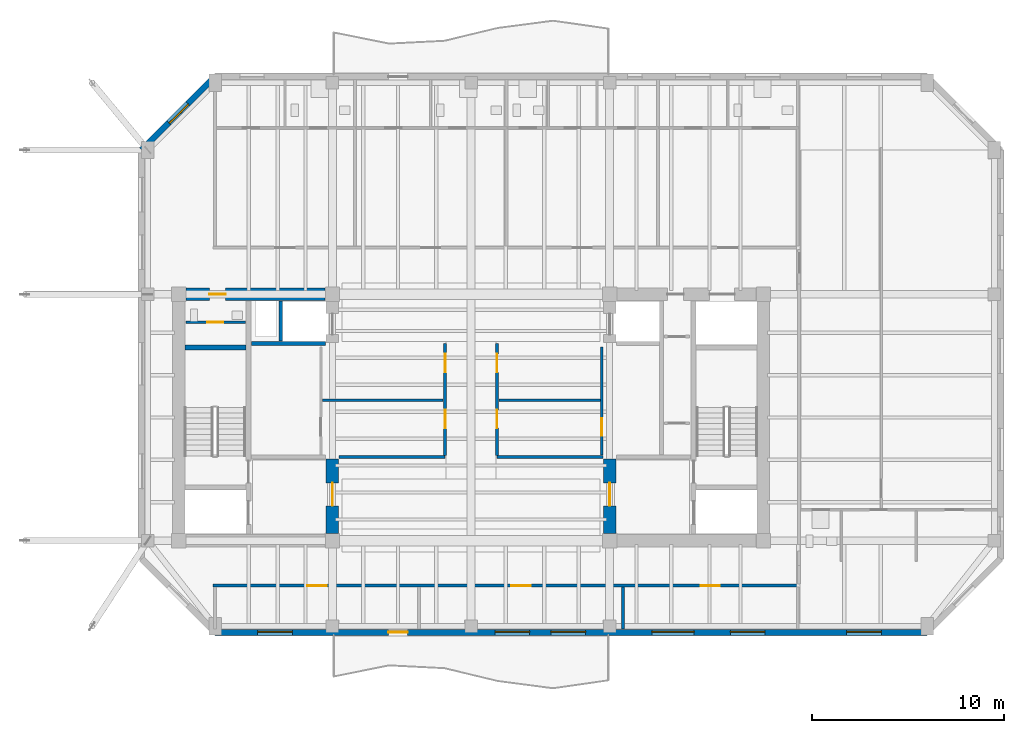
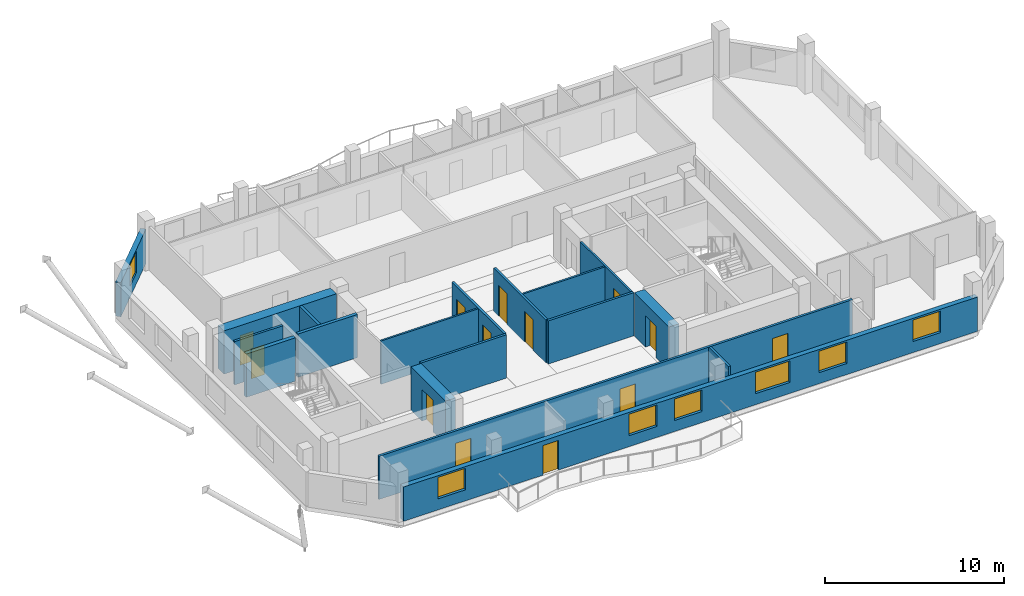
# One storey, part 4 of 10: 18 walls, 13 doors, 7 windows, 20 openings.
"""IFC4 building model written with IfcOpenShell, lengths in metres."""

from ifc_helpers import new_model, si_unit, direction, frame, frame_2d, origin, place, context, subcontext, project, spatial, rectangle, extrude, material, layer, layer_set, type_object, element, fill, save


model = new_model("IFC4")

# Units and contexts
model_context = context("Model", 3, precision=1e-05, world=origin(), true_north=direction((0.0, 1.0)))
body_context = subcontext(model_context, "Body", "Model", "MODEL_VIEW")
ifc_project = project(units=[si_unit("LENGTHUNIT", "METRE"), si_unit("AREAUNIT", "SQUARE_METRE"), si_unit("VOLUMEUNIT", "CUBIC_METRE"), si_unit("PLANEANGLEUNIT", "RADIAN"), si_unit("MASSUNIT", "GRAM", prefix="KILO")], contexts=[model_context])

# Site, building, storey
site_placement = place(None, origin())
site = spatial("IfcSite", under=ifc_project, at=site_placement, CompositionType="ELEMENT")
building_placement = place(site_placement, origin())
building = spatial("IfcBuilding", under=site, at=building_placement, Name="Kranthara Brick Stack", CompositionType="ELEMENT")
storey_placement = place(building_placement, frame((0.0, 0.0, 265.300048828125)))
storey = spatial("IfcBuildingStorey", under=building, at=storey_placement, Name="L70", CompositionType="ELEMENT", Elevation=265.300048828125)

# Wall, openings, door, windows
ifc_material_1 = material(Name="Warm buff clay brick masonry M15", Category="masonry")
ifc_layer_1 = layer(ifc_material_1, 0.320068359375)
ifc_layer_set_1 = layer_set([ifc_layer_1], Name="Warm buff clay brick masonry M15")
wall_type_1 = type_object("IfcWallType", Name="WL-BRK-UPPR-320", PredefinedType="STANDARD", material=ifc_layer_set_1)
wall_1_placement = place(storey_placement, frame((51.699951171875, 16.030029296875, 0.0), z_axis=(0.0, 0.0, 1.0), x_axis=(-1.0, 0.0, 0.0)))
wall_1 = element("IfcWall", 1, at=wall_1_placement, inside=storey, type_object=wall_type_1, Name="L70 Exterior Brick Facade Wall SOUTH 1", PredefinedType="STANDARD", context=body_context, shape_type="SweptSolid", body=[
    extrude(rectangle(XDim=37.0, YDim=0.320068359375, at=frame_2d((18.5, 0.0))), origin(), (0.0, 0.0, 1.0), 2.3349609375),
])
opening_1_placement = place(wall_1_placement, frame((27.0, 0.0, 0.0)))
opening_1 = element("IfcOpeningElement", 2, at=opening_1_placement, cuts=wall_1, Name="Opening D03", PredefinedType="OPENING", context=body_context, shape_type="SweptSolid", body=[
    extrude(rectangle(XDim=1.0, YDim=2.02001953125, at=frame_2d((0.5, 1.010009765625))), frame((0.0, 0.169921875, 0.0), z_axis=(0.0, -1.0, 0.0), x_axis=(1.0, 0.0, 0.0)), (0.0, 0.0, 1.0), 0.340087890625),
])
opening_2_placement = place(wall_1_placement, frame((2.375, 0.0, 0.75)))
opening_2 = element("IfcOpeningElement", 3, at=opening_2_placement, cuts=wall_1, Name="Opening WN07", PredefinedType="OPENING", context=body_context, shape_type="SweptSolid", body=[
    extrude(rectangle(XDim=1.800048828125, YDim=1.465087890625, at=frame_2d((0.89990234375, 0.732421875))), frame((0.0, 0.169921875, 0.0), z_axis=(0.0, -1.0, 0.0), x_axis=(1.0, 0.0, 0.0)), (0.0, 0.0, 1.0), 0.340087890625),
])
opening_3_placement = place(wall_1_placement, frame((8.422119140625, 0.0, 0.75)))
opening_3 = element("IfcOpeningElement", 4, at=opening_3_placement, cuts=wall_1, Name="Opening WN07", PredefinedType="OPENING", context=body_context, shape_type="SweptSolid", body=[
    extrude(rectangle(XDim=1.800048828125, YDim=1.465087890625, at=frame_2d((0.89990234375, 0.732421875))), frame((0.0, 0.169921875, 0.0), z_axis=(0.0, -1.0, 0.0), x_axis=(1.0, 0.0, 0.0)), (0.0, 0.0, 1.0), 0.340087890625),
])
opening_4_placement = place(wall_1_placement, frame((12.10205078125, 0.0, 0.75)))
opening_4 = element("IfcOpeningElement", 5, at=opening_4_placement, cuts=wall_1, Name="Opening WN08", PredefinedType="OPENING", context=body_context, shape_type="SweptSolid", body=[
    extrude(rectangle(XDim=2.199951171875, YDim=1.465087890625, at=frame_2d((1.10009765625, 0.732421875))), frame((0.0, 0.169921875, 0.0), z_axis=(0.0, -1.0, 0.0), x_axis=(1.0, 0.0, 0.0)), (0.0, 0.0, 1.0), 0.340087890625),
])
opening_5_placement = place(wall_1_placement, frame((17.748046875, 0.0, 0.75)))
opening_5 = element("IfcOpeningElement", 6, at=opening_5_placement, cuts=wall_1, Name="Opening WN07", PredefinedType="OPENING", context=body_context, shape_type="SweptSolid", body=[
    extrude(rectangle(XDim=1.800048828125, YDim=1.465087890625, at=frame_2d((0.89990234375, 0.732421875))), frame((0.0, 0.169921875, 0.0), z_axis=(0.0, -1.0, 0.0), x_axis=(1.0, 0.0, 0.0)), (0.0, 0.0, 1.0), 0.340087890625),
])
opening_6_placement = place(wall_1_placement, frame((20.652099609375, 0.0, 0.75)))
opening_6 = element("IfcOpeningElement", 7, at=opening_6_placement, cuts=wall_1, Name="Opening WN07", PredefinedType="OPENING", context=body_context, shape_type="SweptSolid", body=[
    extrude(rectangle(XDim=1.800048828125, YDim=1.465087890625, at=frame_2d((0.89990234375, 0.732421875))), frame((0.0, 0.169921875, 0.0), z_axis=(0.0, -1.0, 0.0), x_axis=(1.0, 0.0, 0.0)), (0.0, 0.0, 1.0), 0.340087890625),
])
opening_7_placement = place(wall_1_placement, frame((32.988037109375, 0.0, 0.75)))
opening_7 = element("IfcOpeningElement", 8, at=opening_7_placement, cuts=wall_1, Name="Opening WN07", PredefinedType="OPENING", context=body_context, shape_type="SweptSolid", body=[
    extrude(rectangle(XDim=1.800048828125, YDim=1.465087890625, at=frame_2d((0.89990234375, 0.732421875))), frame((0.0, 0.169921875, 0.0), z_axis=(0.0, -1.0, 0.0), x_axis=(1.0, 0.0, 0.0)), (0.0, 0.0, 1.0), 0.340087890625),
])
ifc_material_2 = material(Name="Bronze anodised aluminium and laminated glass", Category="aluminium")
door_type_1 = type_object("IfcDoorType", Name="DR-BALC-1000", OperationType="NOTDEFINED", PredefinedType="DOOR", material=ifc_material_2)
door_1_placement = place(opening_1_placement, origin())
door_1 = element("IfcDoor", 9, at=door_1_placement, inside=storey, type_object=door_type_1, Name="L70 South Balcony Terrace Door", OperationType="SINGLE_SWING_LEFT", OverallHeight=2.02001953125, OverallWidth=1.0, PredefinedType="DOOR", context=body_context, shape_type="SweptSolid", body=[
    extrude(rectangle(XDim=1.0, YDim=2.02001953125, at=frame_2d((0.5, 1.010009765625))), frame((0.0, 0.02490234375, 0.0), z_axis=(0.0, -1.0, 0.0), x_axis=(1.0, 0.0, 0.0)), (0.0, 0.0, 1.0), 0.050048828125),
])
fill(opening_1, door_1)
ifc_material_3 = material(Name="Double-glazed low-E solar control glass", Category="glass")
window_type_1 = type_object("IfcWindowType", Name="WN-RES-1800x1850", PartitioningType="DOUBLE_PANEL_VERTICAL", PredefinedType="WINDOW", material=ifc_material_3)
window_1_placement = place(opening_2_placement, origin())
window_1 = element("IfcWindow", 10, at=window_1_placement, inside=storey, type_object=window_type_1, Name="L70 South Deep-Set Brick Window 01", OverallHeight=1.465087890625, OverallWidth=1.800048828125, PartitioningType="SINGLE_PANEL", PredefinedType="WINDOW", context=body_context, shape_type="SweptSolid", body=[
    extrude(rectangle(XDim=1.800048828125, YDim=1.465087890625, at=frame_2d((0.89990234375, 0.732421875))), frame((0.0, -0.010009765625, 0.0), z_axis=(0.0, -1.0, 0.0), x_axis=(1.0, 0.0, 0.0)), (0.0, 0.0, 1.0), 0.06005859375),
])
fill(opening_2, window_1)
window_2_placement = place(opening_3_placement, origin())
window_2 = element("IfcWindow", 11, at=window_2_placement, inside=storey, type_object=window_type_1, Name="L70 South Deep-Set Brick Window 02", OverallHeight=1.465087890625, OverallWidth=1.800048828125, PartitioningType="SINGLE_PANEL", PredefinedType="WINDOW", context=body_context, shape_type="SweptSolid", body=[
    extrude(rectangle(XDim=1.800048828125, YDim=1.465087890625, at=frame_2d((0.89990234375, 0.732421875))), frame((0.0, -0.010009765625, 0.0), z_axis=(0.0, -1.0, 0.0), x_axis=(1.0, 0.0, 0.0)), (0.0, 0.0, 1.0), 0.06005859375),
])
fill(opening_3, window_2)
window_3_placement = place(opening_5_placement, origin())
window_3 = element("IfcWindow", 12, at=window_3_placement, inside=storey, type_object=window_type_1, Name="L70 South Deep-Set Brick Window 04", OverallHeight=1.465087890625, OverallWidth=1.800048828125, PartitioningType="SINGLE_PANEL", PredefinedType="WINDOW", context=body_context, shape_type="SweptSolid", body=[
    extrude(rectangle(XDim=1.800048828125, YDim=1.465087890625, at=frame_2d((0.89990234375, 0.732421875))), frame((0.0, -0.010009765625, 0.0), z_axis=(0.0, -1.0, 0.0), x_axis=(1.0, 0.0, 0.0)), (0.0, 0.0, 1.0), 0.06005859375),
])
fill(opening_5, window_3)
window_4_placement = place(opening_6_placement, origin())
window_4 = element("IfcWindow", 13, at=window_4_placement, inside=storey, type_object=window_type_1, Name="L70 South Deep-Set Brick Window 05", OverallHeight=1.465087890625, OverallWidth=1.800048828125, PartitioningType="SINGLE_PANEL", PredefinedType="WINDOW", context=body_context, shape_type="SweptSolid", body=[
    extrude(rectangle(XDim=1.800048828125, YDim=1.465087890625, at=frame_2d((0.89990234375, 0.732421875))), frame((0.0, -0.010009765625, 0.0), z_axis=(0.0, -1.0, 0.0), x_axis=(1.0, 0.0, 0.0)), (0.0, 0.0, 1.0), 0.06005859375),
])
fill(opening_6, window_4)
window_5_placement = place(opening_7_placement, origin())
window_5 = element("IfcWindow", 14, at=window_5_placement, inside=storey, type_object=window_type_1, Name="L70 South Deep-Set Brick Window 06", OverallHeight=1.465087890625, OverallWidth=1.800048828125, PartitioningType="SINGLE_PANEL", PredefinedType="WINDOW", context=body_context, shape_type="SweptSolid", body=[
    extrude(rectangle(XDim=1.800048828125, YDim=1.465087890625, at=frame_2d((0.89990234375, 0.732421875))), frame((0.0, -0.010009765625, 0.0), z_axis=(0.0, -1.0, 0.0), x_axis=(1.0, 0.0, 0.0)), (0.0, 0.0, 1.0), 0.06005859375),
])
fill(opening_7, window_5)
ifc_material_4 = material(Name="Double-glazed low-E solar control glass", Category="glass")
window_type_2 = type_object("IfcWindowType", Name="WN-RES-2200x1850", PartitioningType="TRIPLE_PANEL_VERTICAL", PredefinedType="WINDOW", material=ifc_material_4)
window_6_placement = place(opening_4_placement, origin())
window_6 = element("IfcWindow", 15, at=window_6_placement, inside=storey, type_object=window_type_2, Name="L70 South Deep-Set Brick Window 03", OverallHeight=1.465087890625, OverallWidth=2.199951171875, PartitioningType="SINGLE_PANEL", PredefinedType="WINDOW", context=body_context, shape_type="SweptSolid", body=[
    extrude(rectangle(XDim=2.199951171875, YDim=1.465087890625, at=frame_2d((1.10009765625, 0.732421875))), frame((0.0, -0.010009765625, 0.0), z_axis=(0.0, -1.0, 0.0), x_axis=(1.0, 0.0, 0.0)), (0.0, 0.0, 1.0), 0.06005859375),
])
fill(opening_4, window_6)

# Wall, opening, window
wall_2_placement = place(storey_placement, frame((10.8798828125, 41.10009765625, 0.0), z_axis=(0.0, 0.0, 1.0), x_axis=(0.70712937715, 0.707084184501, 0.0)))
wall_2 = element("IfcWall", 16, at=wall_2_placement, inside=storey, type_object=wall_type_1, Name="L70 Exterior Brick Facade Wall NW 1", PredefinedType="STANDARD", context=body_context, shape_type="SweptSolid", body=[
    extrude(rectangle(XDim=5.402099609375, YDim=0.320068359375, at=frame_2d((2.701171875, 0.0))), origin(), (0.0, 0.0, 1.0), 2.3349609375),
])
opening_8_placement = place(wall_2_placement, frame((2.0009765625, 0.0, 0.75)))
opening_8 = element("IfcOpeningElement", 17, at=opening_8_placement, cuts=wall_2, Name="Opening WN10", PredefinedType="OPENING", context=body_context, shape_type="SweptSolid", body=[
    extrude(rectangle(XDim=1.39990234375, YDim=1.465087890625, at=frame_2d((0.699951171875, 0.732421875))), frame((0.0, 0.169921875, 0.0), z_axis=(0.0, -1.0, 0.0), x_axis=(1.0, 0.0, 0.0)), (0.0, 0.0, 1.0), 0.340087890625),
])
ifc_material_5 = material(Name="Double-glazed low-E solar control glass", Category="glass")
window_type_3 = type_object("IfcWindowType", Name="WN-CHM-1400x1750", PartitioningType="SINGLE_PANEL", PredefinedType="WINDOW", material=ifc_material_5)
window_7_placement = place(opening_8_placement, origin())
window_7 = element("IfcWindow", 18, at=window_7_placement, inside=storey, type_object=window_type_3, Name="L70 NW Chamfer Corner Window", OverallHeight=1.465087890625, OverallWidth=1.39990234375, PartitioningType="SINGLE_PANEL", PredefinedType="WINDOW", context=body_context, shape_type="SweptSolid", body=[
    extrude(rectangle(XDim=1.39990234375, YDim=1.465087890625, at=frame_2d((0.699951171875, 0.732421875))), frame((0.0, -0.010009765625, 0.0), z_axis=(0.0, -1.0, 0.0), x_axis=(1.0, 0.0, 0.0)), (0.0, 0.0, 1.0), 0.06005859375),
])
fill(opening_8, window_7)

# Wall
ifc_material_6 = material(Name="Concrete C50/60", Category="concrete")
ifc_layer_2 = layer(ifc_material_6, 0.25)
ifc_layer_set_2 = layer_set([ifc_layer_2], Name="Concrete C50/60")
wall_type_2 = type_object("IfcWallType", Name="WL-CORE-250", PredefinedType="SHEAR", material=ifc_layer_set_2)
wall_3_placement = place(storey_placement, frame((13.135009765625, 30.830078125, 0.0), z_axis=(0.0, 0.0, 1.0), x_axis=(1.0, 0.0, 0.0)))
element("IfcWall", 19, at=wall_3_placement, inside=storey, type_object=wall_type_2, Name="L70 West Stairwell Bearing Wall WST", PredefinedType="SHEAR", context=body_context, shape_type="SweptSolid", body=[
    extrude(rectangle(XDim=3.175048828125, YDim=0.25, at=frame_2d((1.58740234375, 0.0))), origin(), (0.0, 0.0, 1.0), 2.949951171875),
])

# Wall, opening, door
ifc_material_7 = material(Name="Concrete C60/75", Category="concrete")
ifc_layer_3 = layer(ifc_material_7, 0.64990234375)
ifc_layer_set_3 = layer_set([ifc_layer_3], Name="Concrete C60/75")
wall_type_3 = type_object("IfcWallType", Name="WL-CORE-650", PredefinedType="SHEAR", material=ifc_layer_set_3)
wall_4_placement = place(storey_placement, frame((13.179931640625, 33.60009765625, 0.0), z_axis=(0.0, 0.0, 1.0), x_axis=(1.0, 0.0, 0.0)))
wall_4 = element("IfcWall", 20, at=wall_4_placement, inside=storey, type_object=wall_type_3, Name="L70 West Core Shear Wall North", PredefinedType="SHEAR", context=body_context, shape_type="SweptSolid", body=[
    extrude(rectangle(XDim=7.239990234375, YDim=0.64990234375, at=frame_2d((3.6201171875, 0.0))), origin(), (0.0, 0.0, 1.0), 2.949951171875),
])
opening_9_placement = place(wall_4_placement, frame((1.219970703125, 0.0, 0.0)))
opening_9 = element("IfcOpeningElement", 21, at=opening_9_placement, cuts=wall_4, Name="Opening D10", PredefinedType="OPENING", context=body_context, shape_type="SweptSolid", body=[
    extrude(rectangle(XDim=0.85009765625, YDim=2.02001953125, at=frame_2d((0.425048828125, 1.010009765625))), frame((0.0, 0.3349609375, 0.0), z_axis=(0.0, -1.0, 0.0), x_axis=(1.0, 0.0, 0.0)), (0.0, 0.0, 1.0), 0.669921875),
])
ifc_material_8 = material(Name="Solid-core hardwood timber leaf in steel frame", Category="steel")
door_type_2 = type_object("IfcDoorType", Name="DR-RSR-850", OperationType="NOTDEFINED", PredefinedType="DOOR", material=ifc_material_8)
door_2_placement = place(opening_9_placement, origin())
door_2 = element("IfcDoor", 22, at=door_2_placement, inside=storey, type_object=door_type_2, Name="L70 West Core Service Door 1", OperationType="SINGLE_SWING_LEFT", OverallHeight=2.02001953125, OverallWidth=0.85009765625, PredefinedType="DOOR", context=body_context, shape_type="SweptSolid", body=[
    extrude(rectangle(XDim=0.85009765625, YDim=2.02001953125, at=frame_2d((0.425048828125, 1.010009765625))), frame((0.0, 0.02490234375, 0.0), z_axis=(0.0, -1.0, 0.0), x_axis=(1.0, 0.0, 0.0)), (0.0, 0.0, 1.0), 0.050048828125),
])
fill(opening_9, door_2)

wall_5_placement = place(storey_placement, frame((20.800048828125, 21.179931640625, 0.0), z_axis=(0.0, 0.0, 1.0), x_axis=(0.0, 1.0, 0.0)))
wall_5 = element("IfcWall", 23, at=wall_5_placement, inside=storey, type_object=wall_type_3, Name="L70 West Core Lobby Shear Wall", PredefinedType="SHEAR", context=body_context, shape_type="SweptSolid", body=[
    extrude(rectangle(XDim=3.8701171875, YDim=0.64990234375, at=frame_2d((1.93505859375, 0.0))), origin(), (0.0, 0.0, 1.0), 2.949951171875),
])
opening_10_placement = place(wall_5_placement, frame((1.419921875, 0.0, 0.0)))
opening_10 = element("IfcOpeningElement", 24, at=opening_10_placement, cuts=wall_5, Name="Opening D06", PredefinedType="OPENING", context=body_context, shape_type="SweptSolid", body=[
    extrude(rectangle(XDim=1.199951171875, YDim=2.14990234375, at=frame_2d((0.60009765625, 1.074951171875))), frame((0.0, 0.3349609375, 0.0), z_axis=(0.0, -1.0, 0.0), x_axis=(1.0, 0.0, 0.0)), (0.0, 0.0, 1.0), 0.669921875),
])
ifc_material_9 = material(Name="Solid-core hardwood timber leaf in steel frame", Category="steel")
door_type_3 = type_object("IfcDoorType", Name="DR-FFL-1200", OperationType="NOTDEFINED", PredefinedType="DOOR", material=ifc_material_9)
door_3_placement = place(opening_10_placement, origin())
door_3 = element("IfcDoor", 25, at=door_3_placement, inside=storey, type_object=door_type_3, Name="L70 West Firefighting Lobby Door", OperationType="SINGLE_SWING_LEFT", OverallHeight=2.14990234375, OverallWidth=1.199951171875, PredefinedType="DOOR", context=body_context, shape_type="SweptSolid", body=[
    extrude(rectangle(XDim=1.199951171875, YDim=2.14990234375, at=frame_2d((0.60009765625, 1.074951171875))), frame((0.0, 0.02490234375, 0.0), z_axis=(0.0, -1.0, 0.0), x_axis=(1.0, 0.0, 0.0)), (0.0, 0.0, 1.0), 0.050048828125),
])
fill(opening_10, door_3)

wall_6_placement = place(storey_placement, frame((35.199951171875, 21.179931640625, 0.0), z_axis=(0.0, 0.0, 1.0), x_axis=(0.0, 1.0, 0.0)))
wall_6 = element("IfcWall", 26, at=wall_6_placement, inside=storey, type_object=wall_type_3, Name="L70 East Core Lobby Shear Wall", PredefinedType="SHEAR", context=body_context, shape_type="SweptSolid", body=[
    extrude(rectangle(XDim=3.8701171875, YDim=0.64990234375, at=frame_2d((1.93505859375, 0.0))), origin(), (0.0, 0.0, 1.0), 2.949951171875),
])
opening_11_placement = place(wall_6_placement, frame((1.419921875, 0.0, 0.0)))
opening_11 = element("IfcOpeningElement", 27, at=opening_11_placement, cuts=wall_6, Name="Opening D06", PredefinedType="OPENING", context=body_context, shape_type="SweptSolid", body=[
    extrude(rectangle(XDim=1.199951171875, YDim=2.14990234375, at=frame_2d((0.60009765625, 1.074951171875))), frame((0.0, 0.3349609375, 0.0), z_axis=(0.0, -1.0, 0.0), x_axis=(1.0, 0.0, 0.0)), (0.0, 0.0, 1.0), 0.669921875),
])
door_4_placement = place(opening_11_placement, origin())
door_4 = element("IfcDoor", 28, at=door_4_placement, inside=storey, type_object=door_type_3, Name="L70 East Firefighting Lobby Door", OperationType="SINGLE_SWING_RIGHT", OverallHeight=2.14990234375, OverallWidth=1.199951171875, PredefinedType="DOOR", context=body_context, shape_type="SweptSolid", body=[
    extrude(rectangle(XDim=1.199951171875, YDim=2.14990234375, at=frame_2d((0.60009765625, 1.074951171875))), frame((0.0, 0.02490234375, 0.0), z_axis=(0.0, -1.0, 0.0), x_axis=(1.0, 0.0, 0.0)), (0.0, 0.0, 1.0), 0.050048828125),
])
fill(opening_11, door_4)

# Wall
ifc_material_10 = material(Name="Acoustic gypsum plasterboard partition", Category="other")
ifc_layer_4 = layer(ifc_material_10, 0.1201171875)
ifc_layer_set_4 = layer_set([ifc_layer_4], Name="Acoustic gypsum plasterboard partition")
wall_type_4 = type_object("IfcWallType", Name="WL-PART-120", PredefinedType="PARTITIONING", material=ifc_layer_set_4)
wall_7_placement = place(storey_placement, frame((20.280029296875, 28.10009765625, 0.0), z_axis=(0.0, 0.0, 1.0), x_axis=(1.0, 0.0, 0.0)))
element("IfcWall", 29, at=wall_7_placement, inside=storey, type_object=wall_type_4, Name="L70 Interior Partition 008", PredefinedType="PARTITIONING", context=body_context, shape_type="SweptSolid", body=[
    extrude(rectangle(XDim=6.27001953125, YDim=0.1201171875, at=frame_2d((3.135009765625, 0.0))), origin(), (0.0, 0.0, 1.0), 2.949951171875),
])

# Wall, opening, door
wall_8_placement = place(storey_placement, frame((34.800048828125, 25.25, 0.0), z_axis=(0.0, 0.0, 1.0), x_axis=(0.0, 1.0, 0.0)))
wall_8 = element("IfcWall", 30, at=wall_8_placement, inside=storey, type_object=wall_type_4, Name="L70 Interior Partition 010", PredefinedType="PARTITIONING", context=body_context, shape_type="SweptSolid", body=[
    extrude(rectangle(XDim=5.60009765625, YDim=0.1201171875, at=frame_2d((2.800048828125, 0.0))), origin(), (0.0, 0.0, 1.0), 2.949951171875),
])
opening_12_placement = place(wall_8_placement, frame((1.0, 0.0, 0.0)))
opening_12 = element("IfcOpeningElement", 31, at=opening_12_placement, cuts=wall_8, Name="Opening D15", PredefinedType="OPENING", context=body_context, shape_type="SweptSolid", body=[
    extrude(rectangle(XDim=0.89990234375, YDim=2.050048828125, at=frame_2d((0.449951171875, 1.02490234375))), frame((0.0, 0.070068359375, 0.0), z_axis=(0.0, -1.0, 0.0), x_axis=(1.0, 0.0, 0.0)), (0.0, 0.0, 1.0), 0.14013671875),
])
ifc_material_11 = material(Name="Solid-core hardwood timber leaf in steel frame", Category="steel")
door_type_4 = type_object("IfcDoorType", Name="DR-INT-900", OperationType="NOTDEFINED", PredefinedType="DOOR", material=ifc_material_11)
door_5_placement = place(opening_12_placement, origin())
door_5 = element("IfcDoor", 32, at=door_5_placement, inside=storey, type_object=door_type_4, Name="L70 Yoga Studio Door 07", OperationType="SINGLE_SWING_LEFT", OverallHeight=2.050048828125, OverallWidth=0.89990234375, PredefinedType="DOOR", context=body_context, shape_type="SweptSolid", body=[
    extrude(rectangle(XDim=0.89990234375, YDim=2.050048828125, at=frame_2d((0.449951171875, 1.02490234375))), frame((0.0, 0.02490234375, 0.0), z_axis=(0.0, -1.0, 0.0), x_axis=(1.0, 0.0, 0.0)), (0.0, 0.0, 1.0), 0.050048828125),
])
fill(opening_12, door_5)

# Wall
wall_9_placement = place(storey_placement, frame((29.449951171875, 28.10009765625, 0.0), z_axis=(0.0, 0.0, 1.0), x_axis=(1.0, 0.0, 0.0)))
element("IfcWall", 33, at=wall_9_placement, inside=storey, type_object=wall_type_4, Name="L70 Interior Partition 011", PredefinedType="PARTITIONING", context=body_context, shape_type="SweptSolid", body=[
    extrude(rectangle(XDim=5.27001953125, YDim=0.1201171875, at=frame_2d((2.635009765625, 0.0))), origin(), (0.0, 0.0, 1.0), 2.949951171875),
])

# Wall, opening, door
ifc_material_12 = material(Name="Fire-rated gypsum board partition", Category="other")
ifc_layer_5 = layer(ifc_material_12, 0.14990234375)
ifc_layer_set_5 = layer_set([ifc_layer_5], Name="Fire-rated gypsum board partition")
wall_type_5 = type_object("IfcWallType", Name="WL-PART-150", PredefinedType="PARTITIONING", material=ifc_layer_set_5)
wall_10_placement = place(storey_placement, frame((13.179931640625, 32.14990234375, 0.0), z_axis=(0.0, 0.0, 1.0), x_axis=(1.0, 0.0, 0.0)))
wall_10 = element("IfcWall", 34, at=wall_10_placement, inside=storey, type_object=wall_type_5, Name="L70 Interior Partition 001", PredefinedType="PARTITIONING", context=body_context, shape_type="SweptSolid", body=[
    extrude(rectangle(XDim=3.10009765625, YDim=0.14990234375, at=frame_2d((1.550048828125, 0.0))), origin(), (0.0, 0.0, 1.0), 2.949951171875),
])
opening_13_placement = place(wall_10_placement, frame((1.10009765625, 0.0, 0.0)))
opening_13 = element("IfcOpeningElement", 35, at=opening_13_placement, cuts=wall_10, Name="Opening D10", PredefinedType="OPENING", context=body_context, shape_type="SweptSolid", body=[
    extrude(rectangle(XDim=0.85009765625, YDim=2.02001953125, at=frame_2d((0.425048828125, 1.010009765625))), frame((0.0, 0.0849609375, 0.0), z_axis=(0.0, -1.0, 0.0), x_axis=(1.0, 0.0, 0.0)), (0.0, 0.0, 1.0), 0.169921875),
])
door_6_placement = place(opening_13_placement, origin())
door_6 = element("IfcDoor", 36, at=door_6_placement, inside=storey, type_object=door_type_2, Name="L70 West Inner Riser Door 01", OperationType="SINGLE_SWING_LEFT", OverallHeight=2.02001953125, OverallWidth=0.85009765625, PredefinedType="DOOR", context=body_context, shape_type="SweptSolid", body=[
    extrude(rectangle(XDim=0.85009765625, YDim=2.02001953125, at=frame_2d((0.425048828125, 1.010009765625))), frame((0.0, 0.02490234375, 0.0), z_axis=(0.0, -1.0, 0.0), x_axis=(1.0, 0.0, 0.0)), (0.0, 0.0, 1.0), 0.050048828125),
])
fill(opening_13, door_6)

# Walls
for number, where, z_axis, x_axis, name in (
    (37, (21.1298828125, 25.14990234375, 0.0), (0.0, 0.0, 1.0), (1.0, 0.0, 0.0), "L70 Interior Partition 004"),
    (38, (29.35009765625, 25.14990234375, 0.0), (0.0, 0.0, 1.0), (1.0, 0.0, 0.0), "L70 Interior Partition 005"),
):
    element("IfcWall", number, at=place(storey_placement, frame(where, z_axis=z_axis, x_axis=x_axis)), inside=storey, type_object=wall_type_5, Name=name, PredefinedType="PARTITIONING", context=body_context, shape_type="SweptSolid", body=[
        extrude(rectangle(XDim=5.52001953125, YDim=0.14990234375, at=frame_2d((2.760009765625, 0.0))), origin(), (0.0, 0.0, 1.0), 2.949951171875),
    ])

# Wall, openings, doors
wall_11_placement = place(storey_placement, frame((26.64990234375, 25.22998046875, 0.0), z_axis=(0.0, 0.0, 1.0), x_axis=(0.0, 1.0, 0.0)))
wall_11 = element("IfcWall", 39, at=wall_11_placement, inside=storey, type_object=wall_type_5, Name="L70 Interior Partition 006", PredefinedType="PARTITIONING", context=body_context, shape_type="SweptSolid", body=[
    extrude(rectangle(XDim=5.820068359375, YDim=0.14990234375, at=frame_2d((2.91015625, 0.0))), origin(), (0.0, 0.0, 1.0), 2.949951171875),
])
opening_14_placement = place(wall_11_placement, frame((1.419921875, 0.0, 0.0)))
opening_14 = element("IfcOpeningElement", 40, at=opening_14_placement, cuts=wall_11, Name="Opening D09", PredefinedType="OPENING", context=body_context, shape_type="SweptSolid", body=[
    extrude(rectangle(XDim=0.949951171875, YDim=2.10009765625, at=frame_2d((0.47509765625, 1.050048828125))), frame((0.0, 0.0849609375, 0.0), z_axis=(0.0, -1.0, 0.0), x_axis=(1.0, 0.0, 0.0)), (0.0, 0.0, 1.0), 0.169921875),
])
opening_15_placement = place(wall_11_placement, frame((4.320068359375, 0.0, 0.0)))
opening_15 = element("IfcOpeningElement", 41, at=opening_15_placement, cuts=wall_11, Name="Opening D09", PredefinedType="OPENING", context=body_context, shape_type="SweptSolid", body=[
    extrude(rectangle(XDim=0.949951171875, YDim=2.10009765625, at=frame_2d((0.47509765625, 1.050048828125))), frame((0.0, 0.0849609375, 0.0), z_axis=(0.0, -1.0, 0.0), x_axis=(1.0, 0.0, 0.0)), (0.0, 0.0, 1.0), 0.169921875),
])
ifc_material_13 = material(Name="Solid-core hardwood timber leaf in steel frame", Category="steel")
door_type_5 = type_object("IfcDoorType", Name="DR-FD-950", OperationType="NOTDEFINED", PredefinedType="DOOR", material=ifc_material_13)
door_7_placement = place(opening_14_placement, origin())
door_7 = element("IfcDoor", 42, at=door_7_placement, inside=storey, type_object=door_type_5, Name="L70 Sky Club Reading Room 05", OperationType="SINGLE_SWING_LEFT", OverallHeight=2.10009765625, OverallWidth=0.949951171875, PredefinedType="DOOR", context=body_context, shape_type="SweptSolid", body=[
    extrude(rectangle(XDim=0.949951171875, YDim=2.10009765625, at=frame_2d((0.47509765625, 1.050048828125))), frame((0.0, 0.02490234375, 0.0), z_axis=(0.0, -1.0, 0.0), x_axis=(1.0, 0.0, 0.0)), (0.0, 0.0, 1.0), 0.050048828125),
])
fill(opening_14, door_7)
door_8_placement = place(opening_15_placement, origin())
door_8 = element("IfcDoor", 43, at=door_8_placement, inside=storey, type_object=door_type_5, Name="L70 Sky Club Card Salon 06", OperationType="SINGLE_SWING_RIGHT", OverallHeight=2.10009765625, OverallWidth=0.949951171875, PredefinedType="DOOR", context=body_context, shape_type="SweptSolid", body=[
    extrude(rectangle(XDim=0.949951171875, YDim=2.10009765625, at=frame_2d((0.47509765625, 1.050048828125))), frame((0.0, 0.02490234375, 0.0), z_axis=(0.0, -1.0, 0.0), x_axis=(1.0, 0.0, 0.0)), (0.0, 0.0, 1.0), 0.050048828125),
])
fill(opening_15, door_8)

wall_12_placement = place(storey_placement, frame((29.35009765625, 25.22998046875, 0.0), z_axis=(0.0, 0.0, 1.0), x_axis=(0.0, 1.0, 0.0)))
wall_12 = element("IfcWall", 44, at=wall_12_placement, inside=storey, type_object=wall_type_5, Name="L70 Interior Partition 009", PredefinedType="PARTITIONING", context=body_context, shape_type="SweptSolid", body=[
    extrude(rectangle(XDim=5.820068359375, YDim=0.14990234375, at=frame_2d((2.91015625, 0.0))), origin(), (0.0, 0.0, 1.0), 2.949951171875),
])
opening_16_placement = place(wall_12_placement, frame((1.419921875, 0.0, 0.0)))
opening_16 = element("IfcOpeningElement", 45, at=opening_16_placement, cuts=wall_12, Name="Opening D09", PredefinedType="OPENING", context=body_context, shape_type="SweptSolid", body=[
    extrude(rectangle(XDim=0.949951171875, YDim=2.10009765625, at=frame_2d((0.47509765625, 1.050048828125))), frame((0.0, 0.0849609375, 0.0), z_axis=(0.0, -1.0, 0.0), x_axis=(1.0, 0.0, 0.0)), (0.0, 0.0, 1.0), 0.169921875),
])
opening_17_placement = place(wall_12_placement, frame((4.320068359375, 0.0, 0.0)))
opening_17 = element("IfcOpeningElement", 46, at=opening_17_placement, cuts=wall_12, Name="Opening D09", PredefinedType="OPENING", context=body_context, shape_type="SweptSolid", body=[
    extrude(rectangle(XDim=0.949951171875, YDim=2.10009765625, at=frame_2d((0.47509765625, 1.050048828125))), frame((0.0, 0.0849609375, 0.0), z_axis=(0.0, -1.0, 0.0), x_axis=(1.0, 0.0, 0.0)), (0.0, 0.0, 1.0), 0.169921875),
])
door_9_placement = place(opening_16_placement, origin())
door_9 = element("IfcDoor", 47, at=door_9_placement, inside=storey, type_object=door_type_5, Name="L70 Drawing Salon 08", OperationType="SINGLE_SWING_RIGHT", OverallHeight=2.10009765625, OverallWidth=0.949951171875, PredefinedType="DOOR", context=body_context, shape_type="SweptSolid", body=[
    extrude(rectangle(XDim=0.949951171875, YDim=2.10009765625, at=frame_2d((0.47509765625, 1.050048828125))), frame((0.0, 0.02490234375, 0.0), z_axis=(0.0, -1.0, 0.0), x_axis=(1.0, 0.0, 0.0)), (0.0, 0.0, 1.0), 0.050048828125),
])
fill(opening_16, door_9)
door_10_placement = place(opening_17_placement, origin())
door_10 = element("IfcDoor", 48, at=door_10_placement, inside=storey, type_object=door_type_5, Name="L70 Board Games Room 09", OperationType="SINGLE_SWING_LEFT", OverallHeight=2.10009765625, OverallWidth=0.949951171875, PredefinedType="DOOR", context=body_context, shape_type="SweptSolid", body=[
    extrude(rectangle(XDim=0.949951171875, YDim=2.10009765625, at=frame_2d((0.47509765625, 1.050048828125))), frame((0.0, 0.02490234375, 0.0), z_axis=(0.0, -1.0, 0.0), x_axis=(1.0, 0.0, 0.0)), (0.0, 0.0, 1.0), 0.050048828125),
])
fill(opening_17, door_10)

wall_13_placement = place(storey_placement, frame((14.580078125, 18.4599609375, 0.0), z_axis=(0.0, 0.0, 1.0), x_axis=(1.0, 0.0, 0.0)))
wall_13 = element("IfcWall", 49, at=wall_13_placement, inside=storey, type_object=wall_type_5, Name="L70 Interior Partition 012", PredefinedType="PARTITIONING", context=body_context, shape_type="SweptSolid", body=[
    extrude(rectangle(XDim=30.52001953125, YDim=0.14990234375, at=frame_2d((15.260009765625, 0.0))), origin(), (0.0, 0.0, 1.0), 2.949951171875),
])
opening_18_placement = place(wall_13_placement, frame((4.9189453125, 0.0, 0.0)))
opening_18 = element("IfcOpeningElement", 50, at=opening_18_placement, cuts=wall_13, Name="Opening D08", PredefinedType="OPENING", context=body_context, shape_type="SweptSolid", body=[
    extrude(rectangle(XDim=1.0, YDim=2.10009765625, at=frame_2d((0.5, 1.050048828125))), frame((0.0, 0.0849609375, 0.0), z_axis=(0.0, -1.0, 0.0), x_axis=(1.0, 0.0, 0.0)), (0.0, 0.0, 1.0), 0.169921875),
])
opening_19_placement = place(wall_13_placement, frame((15.51708984375, 0.0, 0.0)))
opening_19 = element("IfcOpeningElement", 51, at=opening_19_placement, cuts=wall_13, Name="Opening D08", PredefinedType="OPENING", context=body_context, shape_type="SweptSolid", body=[
    extrude(rectangle(XDim=1.0, YDim=2.10009765625, at=frame_2d((0.5, 1.050048828125))), frame((0.0, 0.0849609375, 0.0), z_axis=(0.0, -1.0, 0.0), x_axis=(1.0, 0.0, 0.0)), (0.0, 0.0, 1.0), 0.169921875),
])
opening_20_placement = place(wall_13_placement, frame((25.35791015625, 0.0, 0.0)))
opening_20 = element("IfcOpeningElement", 52, at=opening_20_placement, cuts=wall_13, Name="Opening D08", PredefinedType="OPENING", context=body_context, shape_type="SweptSolid", body=[
    extrude(rectangle(XDim=1.0, YDim=2.10009765625, at=frame_2d((0.5, 1.050048828125))), frame((0.0, 0.0849609375, 0.0), z_axis=(0.0, -1.0, 0.0), x_axis=(1.0, 0.0, 0.0)), (0.0, 0.0, 1.0), 0.169921875),
])
ifc_material_14 = material(Name="Solid-core hardwood timber leaf in steel frame", Category="steel")
door_type_6 = type_object("IfcDoorType", Name="DR-FD-1000", OperationType="NOTDEFINED", PredefinedType="DOOR", material=ifc_material_14)
door_11_placement = place(opening_18_placement, origin())
door_11 = element("IfcDoor", 53, at=door_11_placement, inside=storey, type_object=door_type_6, Name="L70 South Amenity Lounge 1 10", OperationType="SINGLE_SWING_RIGHT", OverallHeight=2.10009765625, OverallWidth=1.0, PredefinedType="DOOR", context=body_context, shape_type="SweptSolid", body=[
    extrude(rectangle(XDim=1.0, YDim=2.10009765625, at=frame_2d((0.5, 1.050048828125))), frame((0.0, 0.02490234375, 0.0), z_axis=(0.0, -1.0, 0.0), x_axis=(1.0, 0.0, 0.0)), (0.0, 0.0, 1.0), 0.050048828125),
])
fill(opening_18, door_11)
door_12_placement = place(opening_19_placement, origin())
door_12 = element("IfcDoor", 54, at=door_12_placement, inside=storey, type_object=door_type_6, Name="L70 South Amenity Lounge 2 11", OperationType="SINGLE_SWING_LEFT", OverallHeight=2.10009765625, OverallWidth=1.0, PredefinedType="DOOR", context=body_context, shape_type="SweptSolid", body=[
    extrude(rectangle(XDim=1.0, YDim=2.10009765625, at=frame_2d((0.5, 1.050048828125))), frame((0.0, 0.02490234375, 0.0), z_axis=(0.0, -1.0, 0.0), x_axis=(1.0, 0.0, 0.0)), (0.0, 0.0, 1.0), 0.050048828125),
])
fill(opening_19, door_12)
door_13_placement = place(opening_20_placement, origin())
door_13 = element("IfcDoor", 55, at=door_13_placement, inside=storey, type_object=door_type_6, Name="L70 South Amenity Lounge 3 12", OperationType="SINGLE_SWING_RIGHT", OverallHeight=2.10009765625, OverallWidth=1.0, PredefinedType="DOOR", context=body_context, shape_type="SweptSolid", body=[
    extrude(rectangle(XDim=1.0, YDim=2.10009765625, at=frame_2d((0.5, 1.050048828125))), frame((0.0, 0.02490234375, 0.0), z_axis=(0.0, -1.0, 0.0), x_axis=(1.0, 0.0, 0.0)), (0.0, 0.0, 1.0), 0.050048828125),
])
fill(opening_20, door_13)

# Walls
wall_14_placement = place(storey_placement, frame((35.89599609375, 16.195068359375, 0.0), z_axis=(0.0, 0.0, 1.0), x_axis=(0.0, 1.0, 0.0)))
element("IfcWall", 56, at=wall_14_placement, inside=storey, type_object=wall_type_5, Name="L70 Interior Partition 015", PredefinedType="PARTITIONING", context=body_context, shape_type="SweptSolid", body=[
    extrude(rectangle(XDim=2.184814453125, YDim=0.14990234375, at=frame_2d((1.09228515625, 0.0))), origin(), (0.0, 0.0, 1.0), 2.949951171875),
])
ifc_material_15 = material(Name="Gypsum plasterboard on acoustic twin stud", Category="other")
ifc_layer_6 = layer(ifc_material_15, 0.179931640625)
ifc_layer_set_6 = layer_set([ifc_layer_6], Name="Gypsum plasterboard on acoustic twin stud")
wall_type_6 = type_object("IfcWallType", Name="WL-PART-180", PredefinedType="PARTITIONING", material=ifc_layer_set_6)
wall_15_placement = place(storey_placement, frame((18.1201171875, 31.169921875, 0.0), z_axis=(0.0, 0.0, 1.0), x_axis=(0.0, 1.0, 0.0)))
element("IfcWall", 57, at=wall_15_placement, inside=storey, type_object=wall_type_6, Name="L70 PL-07 Shaft Back Wall", PredefinedType="PARTITIONING", context=body_context, shape_type="SweptSolid", body=[
    extrude(rectangle(XDim=2.094970703125, YDim=0.179931640625, at=frame_2d((1.04736328125, 0.0))), origin(), (0.0, 0.0, 1.0), 2.949951171875),
])
ifc_material_16 = material(Name="Concrete C40/50", Category="concrete")
ifc_layer_7 = layer(ifc_material_16, 0.199951171875)
ifc_layer_set_7 = layer_set([ifc_layer_7], Name="Concrete C40/50")
wall_type_7 = type_object("IfcWallType", Name="WL-PART-200", PredefinedType="SOLIDWALL", material=ifc_layer_set_7)
wall_16_placement = place(storey_placement, frame((16.60009765625, 31.050048828125, 0.0), z_axis=(0.0, 0.0, 1.0), x_axis=(1.0, 0.0, 0.0)))
element("IfcWall", 58, at=wall_16_placement, inside=storey, type_object=wall_type_7, Name="L70 West Core Cross Wall WH4", PredefinedType="SOLIDWALL", context=body_context, shape_type="SweptSolid", body=[
    extrude(rectangle(XDim=3.849853515625, YDim=0.199951171875, at=frame_2d((1.9248046875, 0.0))), origin(), (0.0, 0.0, 1.0), 2.949951171875),
])

save(model, "model.ifc")
